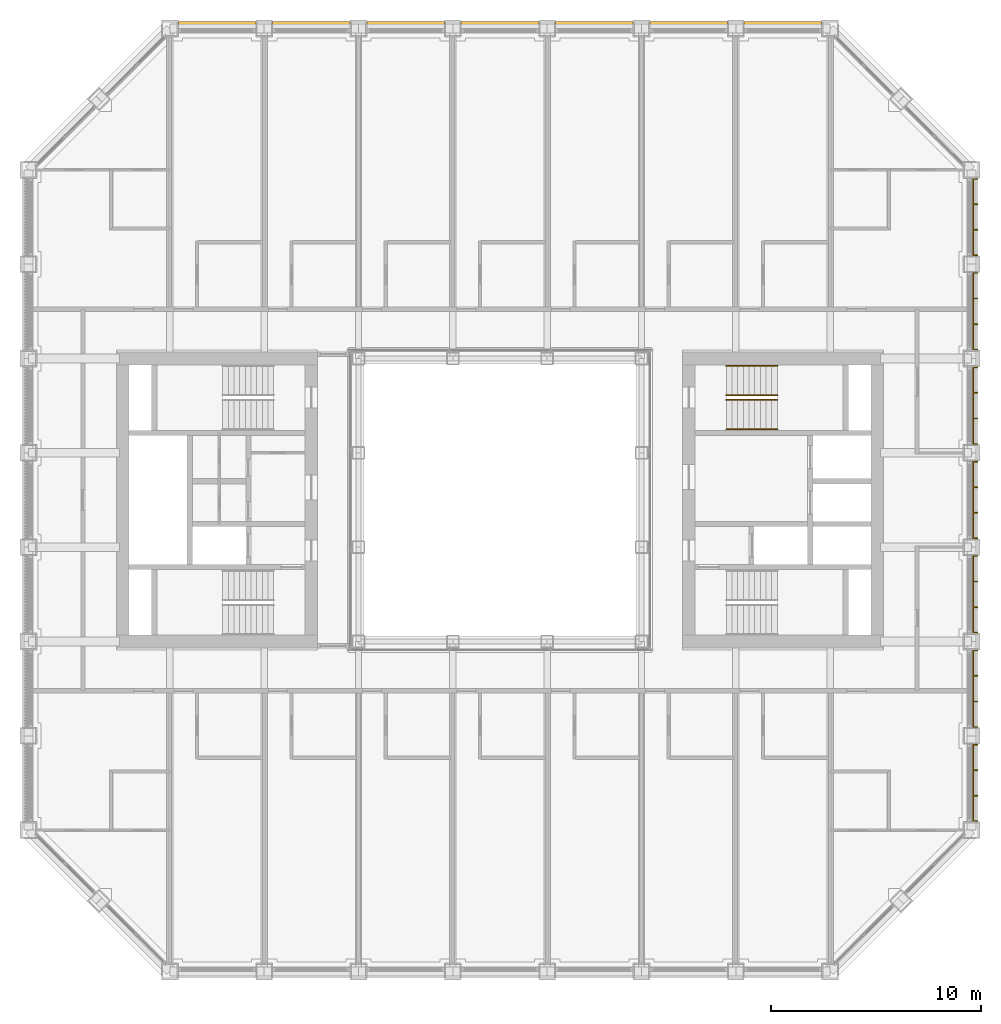
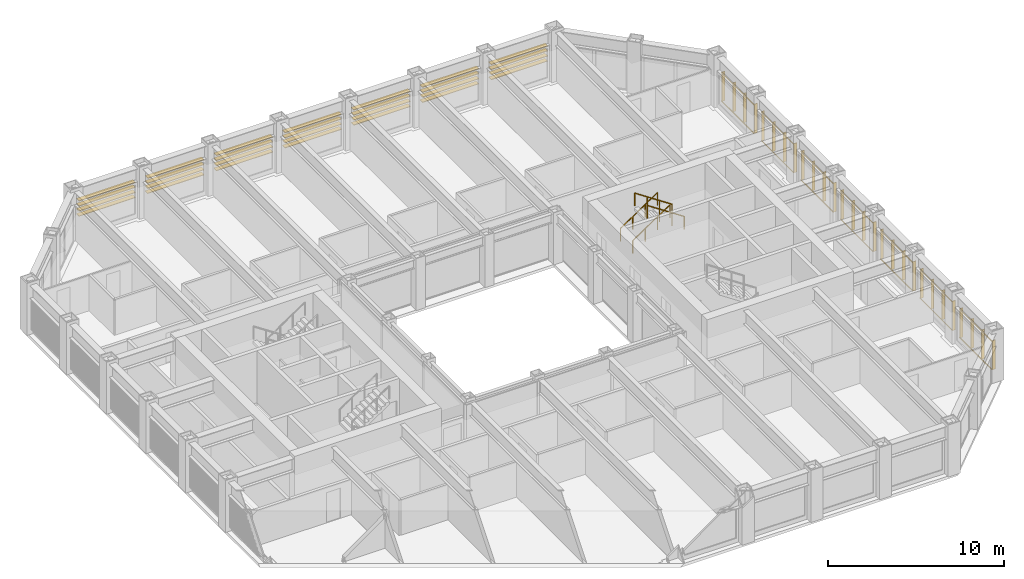
# One storey, part 18 of 18: 4 railings, 2 shading devices.
"""IFC4 building model written with IfcOpenShell, lengths in metres."""

import ifcopenshell
import ifcopenshell.guid

model = None  # the IFC model being written
_history = None  # IfcOwnerHistory: only IFC2X3 demands one
_inside = {}  # id of a spatial element -> (the spatial element, [elements in it])
_under = {}  # id of a project, library or spatial element -> (it, [spatial elements below it])
_declared = {}  # id of a project -> (the project, [libraries it declares])
_typed = {}  # id of a type object -> (the type object, [elements of that type])
_made_of = {}  # id of a material, layer set ... -> (it, [elements and type objects made of it])


def new_model(schema):
    """Start an empty IFC model of exactly this schema.

    Asked for "IFC4X3", IfcOpenShell would pick the latest addendum, in which some entities
    have other attributes; the version numbers below select the first issue.
    IFC2X3 requires an IfcOwnerHistory on every rooted entity: one is made here for all.
    """
    global model, _history
    if schema == "IFC4X3":
        model = ifcopenshell.file(schema_version=(4, 3, 0, 0))
    else:
        model = ifcopenshell.file(schema=schema)
    _inside.clear()
    _under.clear()
    _declared.clear()
    _typed.clear()
    _made_of.clear()
    _history = None
    if model.schema == "IFC2X3":
        org = make("IfcOrganization", Name="unknown")
        user = make(
            "IfcPersonAndOrganization",
            ThePerson=make("IfcPerson", FamilyName="unknown"),
            TheOrganization=org,
        )
        app = make(
            "IfcApplication",
            ApplicationDeveloper=org,
            Version="unknown",
            ApplicationFullName="unknown",
            ApplicationIdentifier="unknown",
        )
        _history = make(
            "IfcOwnerHistory",
            OwningUser=user,
            OwningApplication=app,
            ChangeAction="ADDED",
            CreationDate=0,
        )
    return model


def make(cls, **values):
    """One entity of the class cls with the attributes given. An attribute that is None is left unset."""
    return model.create_entity(
        cls, **{name: value for name, value in values.items() if value is not None}
    )


def rooted(cls, **values):
    """An entity with a GlobalId (a new one), such as an element, a storey or a relation."""
    return make(cls, GlobalId=ifcopenshell.guid.new(), OwnerHistory=_history, **values)


def si_unit(unit_type, name, prefix=None):
    """IfcSIUnit, for example si_unit("LENGTHUNIT", "METRE", prefix="MILLI")."""
    return make("IfcSIUnit", UnitType=unit_type, Prefix=prefix, Name=name)


def assignment(units):
    """IfcUnitAssignment: the units of a project."""
    return None if units is None else make("IfcUnitAssignment", Units=units)


def point(xyz):
    """IfcCartesianPoint."""
    return None if xyz is None else make("IfcCartesianPoint", Coordinates=xyz)


def direction(xyz):
    """IfcDirection."""
    return None if xyz is None else make("IfcDirection", DirectionRatios=xyz)


def frame(location, z_axis=None, x_axis=None):
    """IfcAxis2Placement3D, a coordinate frame: its origin and axes. An axis left out is left unset."""
    return make(
        "IfcAxis2Placement3D",
        Location=point(location),
        Axis=direction(z_axis),
        RefDirection=direction(x_axis),
    )


def frame_2d(location, x_axis=None):
    """IfcAxis2Placement2D, a coordinate frame in the plane: its origin and x axis."""
    return make(
        "IfcAxis2Placement2D", Location=point(location), RefDirection=direction(x_axis)
    )


def origin():
    """The frame at (0, 0, 0) with its axes left unset."""
    return frame((0.0, 0.0, 0.0))


def origin_2d():
    """The frame at (0, 0) in the plane with its x axis left unset."""
    return frame_2d((0.0, 0.0))


def place(relative_to, where):
    """IfcLocalPlacement: puts the frame where relative to a parent placement (None: the world)."""
    return make(
        "IfcLocalPlacement", PlacementRelTo=relative_to, RelativePlacement=where
    )


def context(
    kind, dimensions, precision=None, world=None, true_north=None, identifier=None
):
    """IfcGeometricRepresentationContext, for example the 3D "Model" context."""
    return make(
        "IfcGeometricRepresentationContext",
        ContextIdentifier=identifier,
        ContextType=kind,
        CoordinateSpaceDimension=dimensions,
        Precision=precision,
        WorldCoordinateSystem=world,
        TrueNorth=true_north,
    )


def subcontext(parent, identifier, kind, view, scale=None):
    """IfcGeometricRepresentationSubContext, for example "Body" below "Model"."""
    return make(
        "IfcGeometricRepresentationSubContext",
        ContextIdentifier=identifier,
        ContextType=kind,
        ParentContext=parent,
        TargetScale=scale,
        TargetView=view,
    )


def project(units=None, contexts=None):
    """IfcProject with its units and contexts."""
    return rooted(
        "IfcProject",
        Name="project",
        RepresentationContexts=contexts,
        UnitsInContext=assignment(units),
    )


def spatial(cls, under=None, at=None, **own):
    """A site, building, storey or space (cls), placed at a placement, below another one or the project."""
    s = rooted(cls, ObjectPlacement=at, **own)
    if under is not None:
        _under.setdefault(under.id(), (under, []))[1].append(s)
    return s


def profile(cls, at=None, kind="AREA", **sizes):
    """A parametric profile (cls). Its sizes go by their IFC names, for example OverallWidth=200.0."""
    return make(cls, ProfileType=kind, Position=at, **sizes)


def rectangle(**sizes):
    """IfcRectangleProfileDef."""
    return profile("IfcRectangleProfileDef", **sizes)


def circle(**sizes):
    """IfcCircleProfileDef."""
    return profile("IfcCircleProfileDef", **sizes)


def extrude(swept, where, along, depth):
    """IfcExtrudedAreaSolid: the profile swept, set in the frame where, extruded along a direction by depth."""
    return make(
        "IfcExtrudedAreaSolid",
        SweptArea=swept,
        Position=where,
        ExtrudedDirection=direction(along),
        Depth=depth,
    )


def shape(context_of_items, identifier, shape_type, items):
    """IfcShapeRepresentation: the items that make up one representation, for example the "Body"."""
    return make(
        "IfcShapeRepresentation",
        ContextOfItems=context_of_items,
        RepresentationIdentifier=identifier,
        RepresentationType=shape_type,
        Items=items,
    )


def material(Name=None, Category=None):
    """IfcMaterial."""
    return make("IfcMaterial", Name=Name, Category=Category)


def made_of(thing, what):
    """Note that an element or type object is made of a material, layer set ...; save() writes the relation."""
    if what is not None:
        _made_of.setdefault(what.id(), (what, []))[1].append(thing)
    return thing


def type_object(cls, material=None, **own):
    """A type object (cls), such as IfcWallType, which elements share."""
    return made_of(rooted(cls, **own), material)


def element(
    cls,
    number,
    at=None,
    inside=None,
    cuts=None,
    type_object=None,
    material=None,
    context=None,
    identifier="Body",
    shape_type=None,
    held_by="IfcProductDefinitionShape",
    body=None,
    shapes=None,
    **own,
):
    """One element of the class cls, such as IfcWall. Its Tag is "e" and its number.

    at: its placement. inside: the storey or other place that contains it. cuts: it is an
    opening in that element (IfcRelVoidsElement). A single representation is given by context,
    identifier, shape_type and body (its items); several are given by shapes. held_by: the class
    of the entity that holds the representations. save() writes the other relations.
    """
    e = rooted(cls, Tag="e%d" % number, ObjectPlacement=at, **own)
    if body is not None:
        shapes = [shape(context, identifier, shape_type, body)]
    if shapes is not None:
        e.Representation = make(held_by, Representations=shapes)
    if inside is not None:
        _inside.setdefault(inside.id(), (inside, []))[1].append(e)
    if cuts is not None:
        rooted(
            "IfcRelVoidsElement", RelatingBuildingElement=cuts, RelatedOpeningElement=e
        )
    if type_object is not None:
        _typed.setdefault(type_object.id(), (type_object, []))[1].append(e)
    return made_of(e, material)


def aggregate(whole, parts):
    """IfcRelAggregates: a whole, such as a stair, and the parts it consists of."""
    return rooted("IfcRelAggregates", RelatingObject=whole, RelatedObjects=parts)


def save(model, path):
    """Write the relations noted so far, then the file.

    IfcRelAggregates (storeys below a building ...), IfcRelContainedInSpatialStructure (elements
    in a storey), IfcRelDefinesByType, IfcRelAssociatesMaterial and IfcRelDeclares: one each for
    every whole, place, type object, material and project.
    """
    for whole, parts in _under.values():
        aggregate(whole, parts)
    for where, things in _inside.values():
        rooted(
            "IfcRelContainedInSpatialStructure",
            RelatedElements=things,
            RelatingStructure=where,
        )
    for kind, things in _typed.values():
        rooted("IfcRelDefinesByType", RelatedObjects=things, RelatingType=kind)
    for what, things in _made_of.values():
        rooted("IfcRelAssociatesMaterial", RelatedObjects=things, RelatingMaterial=what)
    for by, libraries in _declared.values():
        rooted("IfcRelDeclares", RelatingContext=by, RelatedDefinitions=libraries)
    model.write(path)


model = new_model("IFC4")

# Units and contexts
model_context = context("Model", 3, precision=1e-05, world=origin(), true_north=direction((0.0, 1.0)))
body_context = subcontext(model_context, "Body", "Model", "MODEL_VIEW")
ifc_project = project(units=[si_unit("LENGTHUNIT", "METRE"), si_unit("AREAUNIT", "SQUARE_METRE"), si_unit("VOLUMEUNIT", "CUBIC_METRE"), si_unit("PLANEANGLEUNIT", "RADIAN"), si_unit("MASSUNIT", "GRAM", prefix="KILO")], contexts=[model_context])

# Site, building, storey
site_placement = place(None, origin())
site = spatial("IfcSite", under=ifc_project, at=site_placement, CompositionType="ELEMENT")
building_placement = place(site_placement, origin())
building = spatial("IfcBuilding", under=site, at=building_placement, Name="Msasa Ring Tower", CompositionType="ELEMENT")
storey_placement = place(building_placement, frame((0.0, 0.0, 122.0)))
storey = spatial("IfcBuildingStorey", under=building, at=storey_placement, Name="L31", CompositionType="ELEMENT", Elevation=122.0)

# Shading device
ifc_material_1 = material(Name="Extruded terracotta on aluminium carriers", Category="masonry")
shading_device_type_1 = type_object("IfcShadingDeviceType", Name="BS2 TERRACOTTA FIN SCREEN 40x200 AT 1350", PredefinedType="USERDEFINED", material=ifc_material_1)
shading_device_1_placement = place(storey_placement, origin())
element("IfcShadingDevice", 1, at=shading_device_1_placement, inside=storey, type_object=shading_device_type_1, Name="Terracotta fin screen E L31", ObjectType="BAGUETTE", PredefinedType="USERDEFINED", context=body_context, shape_type="SweptSolid", body=[
    extrude(rectangle(XDim=0.06005859375, YDim=0.0400390625, at=origin_2d()), frame((22.580078125, -15.35009765625, 0.330078125), z_axis=(0.0, 1.0, 0.0), x_axis=(0.0, 0.0, 1.0)), (0.0, 0.0, 1.0), 3.699951171875),
    extrude(rectangle(XDim=0.06005859375, YDim=0.0400390625, at=origin_2d()), frame((22.580078125, -15.35009765625, 2.299072265625), z_axis=(0.0, 1.0, 0.0), x_axis=(0.0, 0.0, 1.0)), (0.0, 0.0, 1.0), 3.699951171875),
    extrude(rectangle(XDim=0.0400390625, YDim=0.199951171875, at=origin_2d()), frame((22.695068359375, -15.330078125, 0.300048828125), z_axis=(0.0, 0.0, 1.0), x_axis=(0.0, 1.0, 0.0)), (0.0, 0.0, 1.0), 2.029052734375),
    extrude(rectangle(XDim=0.0400390625, YDim=0.199951171875, at=origin_2d()), frame((22.695068359375, -14.110107421875, 0.300048828125), z_axis=(0.0, 0.0, 1.0), x_axis=(0.0, 1.0, 0.0)), (0.0, 0.0, 1.0), 2.029052734375),
    extrude(rectangle(XDim=0.0400390625, YDim=0.199951171875, at=origin_2d()), frame((22.695068359375, -12.889892578125, 0.300048828125), z_axis=(0.0, 0.0, 1.0), x_axis=(0.0, 1.0, 0.0)), (0.0, 0.0, 1.0), 2.029052734375),
    extrude(rectangle(XDim=0.0400390625, YDim=0.199951171875, at=origin_2d()), frame((22.695068359375, -11.669921875, 0.300048828125), z_axis=(0.0, 0.0, 1.0), x_axis=(0.0, 1.0, 0.0)), (0.0, 0.0, 1.0), 2.029052734375),
    extrude(rectangle(XDim=0.06005859375, YDim=0.0400390625, at=origin_2d()), frame((22.580078125, -10.85009765625, 0.330078125), z_axis=(0.0, 1.0, 0.0), x_axis=(0.0, 0.0, 1.0)), (0.0, 0.0, 1.0), 3.699951171875),
    extrude(rectangle(XDim=0.06005859375, YDim=0.0400390625, at=origin_2d()), frame((22.580078125, -10.85009765625, 2.299072265625), z_axis=(0.0, 1.0, 0.0), x_axis=(0.0, 0.0, 1.0)), (0.0, 0.0, 1.0), 3.699951171875),
    extrude(rectangle(XDim=0.0400390625, YDim=0.199951171875, at=origin_2d()), frame((22.695068359375, -10.830078125, 0.300048828125), z_axis=(0.0, 0.0, 1.0), x_axis=(0.0, 1.0, 0.0)), (0.0, 0.0, 1.0), 2.029052734375),
    extrude(rectangle(XDim=0.0400390625, YDim=0.199951171875, at=origin_2d()), frame((22.695068359375, -9.610107421875, 0.300048828125), z_axis=(0.0, 0.0, 1.0), x_axis=(0.0, 1.0, 0.0)), (0.0, 0.0, 1.0), 2.029052734375),
    extrude(rectangle(XDim=0.0400390625, YDim=0.199951171875, at=origin_2d()), frame((22.695068359375, -8.389892578125, 0.300048828125), z_axis=(0.0, 0.0, 1.0), x_axis=(0.0, 1.0, 0.0)), (0.0, 0.0, 1.0), 2.029052734375),
    extrude(rectangle(XDim=0.0400390625, YDim=0.199951171875, at=origin_2d()), frame((22.695068359375, -7.169921875, 0.300048828125), z_axis=(0.0, 0.0, 1.0), x_axis=(0.0, 1.0, 0.0)), (0.0, 0.0, 1.0), 2.029052734375),
    extrude(rectangle(XDim=0.06005859375, YDim=0.0400390625, at=origin_2d()), frame((22.580078125, -6.35009765625, 0.330078125), z_axis=(0.0, 1.0, 0.0), x_axis=(0.0, 0.0, 1.0)), (0.0, 0.0, 1.0), 3.699951171875),
    extrude(rectangle(XDim=0.06005859375, YDim=0.0400390625, at=origin_2d()), frame((22.580078125, -6.35009765625, 2.299072265625), z_axis=(0.0, 1.0, 0.0), x_axis=(0.0, 0.0, 1.0)), (0.0, 0.0, 1.0), 3.699951171875),
    extrude(rectangle(XDim=0.0400390625, YDim=0.199951171875, at=origin_2d()), frame((22.695068359375, -6.330078125, 0.300048828125), z_axis=(0.0, 0.0, 1.0), x_axis=(0.0, 1.0, 0.0)), (0.0, 0.0, 1.0), 2.029052734375),
    extrude(rectangle(XDim=0.0400390625, YDim=0.199951171875, at=origin_2d()), frame((22.695068359375, -5.110107421875, 0.300048828125), z_axis=(0.0, 0.0, 1.0), x_axis=(0.0, 1.0, 0.0)), (0.0, 0.0, 1.0), 2.029052734375),
    extrude(rectangle(XDim=0.0400390625, YDim=0.199951171875, at=origin_2d()), frame((22.695068359375, -3.889892578125, 0.300048828125), z_axis=(0.0, 0.0, 1.0), x_axis=(0.0, 1.0, 0.0)), (0.0, 0.0, 1.0), 2.029052734375),
    extrude(rectangle(XDim=0.0400390625, YDim=0.199951171875, at=origin_2d()), frame((22.695068359375, -2.669921875, 0.300048828125), z_axis=(0.0, 0.0, 1.0), x_axis=(0.0, 1.0, 0.0)), (0.0, 0.0, 1.0), 2.029052734375),
    extrude(rectangle(XDim=0.06005859375, YDim=0.0400390625, at=origin_2d()), frame((22.580078125, -1.85009765625, 0.330078125), z_axis=(0.0, 1.0, 0.0), x_axis=(0.0, 0.0, 1.0)), (0.0, 0.0, 1.0), 3.699951171875),
    extrude(rectangle(XDim=0.06005859375, YDim=0.0400390625, at=origin_2d()), frame((22.580078125, -1.85009765625, 2.299072265625), z_axis=(0.0, 1.0, 0.0), x_axis=(0.0, 0.0, 1.0)), (0.0, 0.0, 1.0), 3.699951171875),
    extrude(rectangle(XDim=0.0400390625, YDim=0.199951171875, at=origin_2d()), frame((22.695068359375, -1.830078125, 0.300048828125), z_axis=(0.0, 0.0, 1.0), x_axis=(0.0, 1.0, 0.0)), (0.0, 0.0, 1.0), 2.029052734375),
    extrude(rectangle(XDim=0.0400390625, YDim=0.199951171875, at=origin_2d()), frame((22.695068359375, -0.610107421875, 0.300048828125), z_axis=(0.0, 0.0, 1.0), x_axis=(0.0, 1.0, 0.0)), (0.0, 0.0, 1.0), 2.029052734375),
    extrude(rectangle(XDim=0.0400390625, YDim=0.199951171875, at=origin_2d()), frame((22.695068359375, 0.610107421875, 0.300048828125), z_axis=(0.0, 0.0, 1.0), x_axis=(0.0, 1.0, 0.0)), (0.0, 0.0, 1.0), 2.029052734375),
    extrude(rectangle(XDim=0.0400390625, YDim=0.199951171875, at=origin_2d()), frame((22.695068359375, 1.830078125, 0.300048828125), z_axis=(0.0, 0.0, 1.0), x_axis=(0.0, 1.0, 0.0)), (0.0, 0.0, 1.0), 2.029052734375),
    extrude(rectangle(XDim=0.06005859375, YDim=0.0400390625, at=origin_2d()), frame((22.580078125, 2.64990234375, 0.330078125), z_axis=(0.0, 1.0, 0.0), x_axis=(0.0, 0.0, 1.0)), (0.0, 0.0, 1.0), 3.699951171875),
    extrude(rectangle(XDim=0.06005859375, YDim=0.0400390625, at=origin_2d()), frame((22.580078125, 2.64990234375, 2.299072265625), z_axis=(0.0, 1.0, 0.0), x_axis=(0.0, 0.0, 1.0)), (0.0, 0.0, 1.0), 3.699951171875),
    extrude(rectangle(XDim=0.0400390625, YDim=0.199951171875, at=origin_2d()), frame((22.695068359375, 2.669921875, 0.300048828125), z_axis=(0.0, 0.0, 1.0), x_axis=(0.0, 1.0, 0.0)), (0.0, 0.0, 1.0), 2.029052734375),
    extrude(rectangle(XDim=0.0400390625, YDim=0.199951171875, at=origin_2d()), frame((22.695068359375, 3.889892578125, 0.300048828125), z_axis=(0.0, 0.0, 1.0), x_axis=(0.0, 1.0, 0.0)), (0.0, 0.0, 1.0), 2.029052734375),
    extrude(rectangle(XDim=0.0400390625, YDim=0.199951171875, at=origin_2d()), frame((22.695068359375, 5.110107421875, 0.300048828125), z_axis=(0.0, 0.0, 1.0), x_axis=(0.0, 1.0, 0.0)), (0.0, 0.0, 1.0), 2.029052734375),
    extrude(rectangle(XDim=0.0400390625, YDim=0.199951171875, at=origin_2d()), frame((22.695068359375, 6.330078125, 0.300048828125), z_axis=(0.0, 0.0, 1.0), x_axis=(0.0, 1.0, 0.0)), (0.0, 0.0, 1.0), 2.029052734375),
    extrude(rectangle(XDim=0.06005859375, YDim=0.0400390625, at=origin_2d()), frame((22.580078125, 7.14990234375, 0.330078125), z_axis=(0.0, 1.0, 0.0), x_axis=(0.0, 0.0, 1.0)), (0.0, 0.0, 1.0), 3.699951171875),
    extrude(rectangle(XDim=0.06005859375, YDim=0.0400390625, at=origin_2d()), frame((22.580078125, 7.14990234375, 2.299072265625), z_axis=(0.0, 1.0, 0.0), x_axis=(0.0, 0.0, 1.0)), (0.0, 0.0, 1.0), 3.699951171875),
    extrude(rectangle(XDim=0.0400390625, YDim=0.199951171875, at=origin_2d()), frame((22.695068359375, 7.169921875, 0.300048828125), z_axis=(0.0, 0.0, 1.0), x_axis=(0.0, 1.0, 0.0)), (0.0, 0.0, 1.0), 2.029052734375),
    extrude(rectangle(XDim=0.0400390625, YDim=0.199951171875, at=origin_2d()), frame((22.695068359375, 8.389892578125, 0.300048828125), z_axis=(0.0, 0.0, 1.0), x_axis=(0.0, 1.0, 0.0)), (0.0, 0.0, 1.0), 2.029052734375),
    extrude(rectangle(XDim=0.0400390625, YDim=0.199951171875, at=origin_2d()), frame((22.695068359375, 9.610107421875, 0.300048828125), z_axis=(0.0, 0.0, 1.0), x_axis=(0.0, 1.0, 0.0)), (0.0, 0.0, 1.0), 2.029052734375),
    extrude(rectangle(XDim=0.0400390625, YDim=0.199951171875, at=origin_2d()), frame((22.695068359375, 10.830078125, 0.300048828125), z_axis=(0.0, 0.0, 1.0), x_axis=(0.0, 1.0, 0.0)), (0.0, 0.0, 1.0), 2.029052734375),
    extrude(rectangle(XDim=0.06005859375, YDim=0.0400390625, at=origin_2d()), frame((22.580078125, 11.64990234375, 0.330078125), z_axis=(0.0, 1.0, 0.0), x_axis=(0.0, 0.0, 1.0)), (0.0, 0.0, 1.0), 3.699951171875),
    extrude(rectangle(XDim=0.06005859375, YDim=0.0400390625, at=origin_2d()), frame((22.580078125, 11.64990234375, 2.299072265625), z_axis=(0.0, 1.0, 0.0), x_axis=(0.0, 0.0, 1.0)), (0.0, 0.0, 1.0), 3.699951171875),
    extrude(rectangle(XDim=0.0400390625, YDim=0.199951171875, at=origin_2d()), frame((22.695068359375, 11.669921875, 0.300048828125), z_axis=(0.0, 0.0, 1.0), x_axis=(0.0, 1.0, 0.0)), (0.0, 0.0, 1.0), 2.029052734375),
    extrude(rectangle(XDim=0.0400390625, YDim=0.199951171875, at=origin_2d()), frame((22.695068359375, 12.889892578125, 0.300048828125), z_axis=(0.0, 0.0, 1.0), x_axis=(0.0, 1.0, 0.0)), (0.0, 0.0, 1.0), 2.029052734375),
    extrude(rectangle(XDim=0.0400390625, YDim=0.199951171875, at=origin_2d()), frame((22.695068359375, 14.110107421875, 0.300048828125), z_axis=(0.0, 0.0, 1.0), x_axis=(0.0, 1.0, 0.0)), (0.0, 0.0, 1.0), 2.029052734375),
    extrude(rectangle(XDim=0.0400390625, YDim=0.199951171875, at=origin_2d()), frame((22.695068359375, 15.330078125, 0.300048828125), z_axis=(0.0, 0.0, 1.0), x_axis=(0.0, 1.0, 0.0)), (0.0, 0.0, 1.0), 2.029052734375),
])

# Railings
ifc_material_2 = material(Name="Stainless steel", Category="steel")
railing_type = type_object("IfcRailingType", Name="HR1 HANDRAIL 900", PredefinedType="HANDRAIL", material=ifc_material_2)
for number, where, name in (
    (2, (10.800048828125, 5.0, 0.179931640625), "Handrail stair SEB L31 1"),
    (3, (10.800048828125, 6.39990234375, 0.179931640625), "Handrail stair SEB L31 2"),
):
    element("IfcRailing", number, at=place(storey_placement, frame(where)), inside=storey, type_object=railing_type, Name=name, PredefinedType="HANDRAIL", context=body_context, shape_type="SweptSolid", body=[
        extrude(circle(Radius=0.02392578125, at=origin_2d()), frame((0.0, 0.0, 0.8759765625), z_axis=(0.832024571796, 0.0, 0.554738778101), x_axis=(0.0, 1.0, 0.0)), (0.0, 0.0, 1.0), 2.92041015625),
        extrude(circle(Radius=0.02099609375, at=origin_2d()), origin(), (0.0, 0.0, 1.0), 0.851806640625),
        extrude(circle(Radius=0.02099609375, at=origin_2d()), frame((0.81005859375, 0.0, 0.5400390625)), (0.0, 0.0, 1.0), 0.851806640625),
        extrude(circle(Radius=0.02099609375, at=origin_2d()), frame((1.619873046875, 0.0, 1.080078125)), (0.0, 0.0, 1.0), 0.851806640625),
        extrude(circle(Radius=0.02099609375, at=origin_2d()), frame((2.429931640625, 0.0, 1.6201171875)), (0.0, 0.0, 1.0), 0.851806640625),
    ])
for number, where, name in (
    (4, (13.22998046875, 3.375, 1.97998046875), "Handrail stair SEB L31 3"),
    (5, (13.22998046875, 4.77490234375, 1.97998046875), "Handrail stair SEB L31 4"),
):
    element("IfcRailing", number, at=place(storey_placement, frame(where)), inside=storey, type_object=railing_type, Name=name, PredefinedType="HANDRAIL", context=body_context, shape_type="SweptSolid", body=[
        extrude(circle(Radius=0.02392578125, at=origin_2d()), frame((0.0, 0.0, 0.8759765625), z_axis=(-0.832024571796, 0.0, 0.554738778101), x_axis=(0.0, -1.0, 0.0)), (0.0, 0.0, 1.0), 2.92041015625),
        extrude(circle(Radius=0.02099609375, at=origin_2d()), origin(), (0.0, 0.0, 1.0), 0.851806640625),
        extrude(circle(Radius=0.02099609375, at=origin_2d()), frame((-0.81005859375, 0.0, 0.5400390625)), (0.0, 0.0, 1.0), 0.851806640625),
        extrude(circle(Radius=0.02099609375, at=origin_2d()), frame((-1.619873046875, 0.0, 1.080078125)), (0.0, 0.0, 1.0), 0.851806640625),
        extrude(circle(Radius=0.02099609375, at=origin_2d()), frame((-2.429931640625, 0.0, 1.6201171875)), (0.0, 0.0, 1.0), 0.851806640625),
    ])

# Shading device
ifc_material_3 = material(Name="Extruded terracotta blades", Category="masonry")
shading_device_type_2 = type_object("IfcShadingDeviceType", Name="SS1 TERRACOTTA SUNSHADE 4 BLADES 300x40 AT 350", PredefinedType="USERDEFINED", material=ifc_material_3)
shading_device_2_placement = place(storey_placement, origin())
element("IfcShadingDevice", 6, at=shading_device_2_placement, inside=storey, type_object=shading_device_type_2, Name="Terracotta sunshade N L31", ObjectType="SUNSHADE", PredefinedType="USERDEFINED", context=body_context, shape_type="SweptSolid", body=[
    extrude(rectangle(XDim=0.0400390625, YDim=0.300048828125, at=origin_2d()), frame((-15.35009765625, 22.679931640625, 2.30908203125), z_axis=(1.0, 0.0, 0.0), x_axis=(0.0, 0.0, 1.0)), (0.0, 0.0, 1.0), 3.699951171875),
    extrude(rectangle(XDim=0.0400390625, YDim=0.300048828125, at=origin_2d()), frame((-15.35009765625, 22.679931640625, 1.958984375), z_axis=(1.0, 0.0, 0.0), x_axis=(0.0, 0.0, 1.0)), (0.0, 0.0, 1.0), 3.699951171875),
    extrude(rectangle(XDim=0.0400390625, YDim=0.300048828125, at=origin_2d()), frame((-15.35009765625, 22.679931640625, 1.60888671875), z_axis=(1.0, 0.0, 0.0), x_axis=(0.0, 0.0, 1.0)), (0.0, 0.0, 1.0), 3.699951171875),
    extrude(rectangle(XDim=0.0400390625, YDim=0.300048828125, at=origin_2d()), frame((-15.35009765625, 22.679931640625, 1.259033203125), z_axis=(1.0, 0.0, 0.0), x_axis=(0.0, 0.0, 1.0)), (0.0, 0.0, 1.0), 3.699951171875),
    extrude(rectangle(XDim=0.0400390625, YDim=0.300048828125, at=origin_2d()), frame((-10.85009765625, 22.679931640625, 2.30908203125), z_axis=(1.0, 0.0, 0.0), x_axis=(0.0, 0.0, 1.0)), (0.0, 0.0, 1.0), 3.699951171875),
    extrude(rectangle(XDim=0.0400390625, YDim=0.300048828125, at=origin_2d()), frame((-10.85009765625, 22.679931640625, 1.958984375), z_axis=(1.0, 0.0, 0.0), x_axis=(0.0, 0.0, 1.0)), (0.0, 0.0, 1.0), 3.699951171875),
    extrude(rectangle(XDim=0.0400390625, YDim=0.300048828125, at=origin_2d()), frame((-10.85009765625, 22.679931640625, 1.60888671875), z_axis=(1.0, 0.0, 0.0), x_axis=(0.0, 0.0, 1.0)), (0.0, 0.0, 1.0), 3.699951171875),
    extrude(rectangle(XDim=0.0400390625, YDim=0.300048828125, at=origin_2d()), frame((-10.85009765625, 22.679931640625, 1.259033203125), z_axis=(1.0, 0.0, 0.0), x_axis=(0.0, 0.0, 1.0)), (0.0, 0.0, 1.0), 3.699951171875),
    extrude(rectangle(XDim=0.0400390625, YDim=0.300048828125, at=origin_2d()), frame((-6.35009765625, 22.679931640625, 2.30908203125), z_axis=(1.0, 0.0, 0.0), x_axis=(0.0, 0.0, 1.0)), (0.0, 0.0, 1.0), 3.699951171875),
    extrude(rectangle(XDim=0.0400390625, YDim=0.300048828125, at=origin_2d()), frame((-6.35009765625, 22.679931640625, 1.958984375), z_axis=(1.0, 0.0, 0.0), x_axis=(0.0, 0.0, 1.0)), (0.0, 0.0, 1.0), 3.699951171875),
    extrude(rectangle(XDim=0.0400390625, YDim=0.300048828125, at=origin_2d()), frame((-6.35009765625, 22.679931640625, 1.60888671875), z_axis=(1.0, 0.0, 0.0), x_axis=(0.0, 0.0, 1.0)), (0.0, 0.0, 1.0), 3.699951171875),
    extrude(rectangle(XDim=0.0400390625, YDim=0.300048828125, at=origin_2d()), frame((-6.35009765625, 22.679931640625, 1.259033203125), z_axis=(1.0, 0.0, 0.0), x_axis=(0.0, 0.0, 1.0)), (0.0, 0.0, 1.0), 3.699951171875),
    extrude(rectangle(XDim=0.0400390625, YDim=0.300048828125, at=origin_2d()), frame((-1.85009765625, 22.679931640625, 2.30908203125), z_axis=(1.0, 0.0, 0.0), x_axis=(0.0, 0.0, 1.0)), (0.0, 0.0, 1.0), 3.699951171875),
    extrude(rectangle(XDim=0.0400390625, YDim=0.300048828125, at=origin_2d()), frame((-1.85009765625, 22.679931640625, 1.958984375), z_axis=(1.0, 0.0, 0.0), x_axis=(0.0, 0.0, 1.0)), (0.0, 0.0, 1.0), 3.699951171875),
    extrude(rectangle(XDim=0.0400390625, YDim=0.300048828125, at=origin_2d()), frame((-1.85009765625, 22.679931640625, 1.60888671875), z_axis=(1.0, 0.0, 0.0), x_axis=(0.0, 0.0, 1.0)), (0.0, 0.0, 1.0), 3.699951171875),
    extrude(rectangle(XDim=0.0400390625, YDim=0.300048828125, at=origin_2d()), frame((-1.85009765625, 22.679931640625, 1.259033203125), z_axis=(1.0, 0.0, 0.0), x_axis=(0.0, 0.0, 1.0)), (0.0, 0.0, 1.0), 3.699951171875),
    extrude(rectangle(XDim=0.0400390625, YDim=0.300048828125, at=origin_2d()), frame((2.64990234375, 22.679931640625, 2.30908203125), z_axis=(1.0, 0.0, 0.0), x_axis=(0.0, 0.0, 1.0)), (0.0, 0.0, 1.0), 3.699951171875),
    extrude(rectangle(XDim=0.0400390625, YDim=0.300048828125, at=origin_2d()), frame((2.64990234375, 22.679931640625, 1.958984375), z_axis=(1.0, 0.0, 0.0), x_axis=(0.0, 0.0, 1.0)), (0.0, 0.0, 1.0), 3.699951171875),
    extrude(rectangle(XDim=0.0400390625, YDim=0.300048828125, at=origin_2d()), frame((2.64990234375, 22.679931640625, 1.60888671875), z_axis=(1.0, 0.0, 0.0), x_axis=(0.0, 0.0, 1.0)), (0.0, 0.0, 1.0), 3.699951171875),
    extrude(rectangle(XDim=0.0400390625, YDim=0.300048828125, at=origin_2d()), frame((2.64990234375, 22.679931640625, 1.259033203125), z_axis=(1.0, 0.0, 0.0), x_axis=(0.0, 0.0, 1.0)), (0.0, 0.0, 1.0), 3.699951171875),
    extrude(rectangle(XDim=0.0400390625, YDim=0.300048828125, at=origin_2d()), frame((7.14990234375, 22.679931640625, 2.30908203125), z_axis=(1.0, 0.0, 0.0), x_axis=(0.0, 0.0, 1.0)), (0.0, 0.0, 1.0), 3.699951171875),
    extrude(rectangle(XDim=0.0400390625, YDim=0.300048828125, at=origin_2d()), frame((7.14990234375, 22.679931640625, 1.958984375), z_axis=(1.0, 0.0, 0.0), x_axis=(0.0, 0.0, 1.0)), (0.0, 0.0, 1.0), 3.699951171875),
    extrude(rectangle(XDim=0.0400390625, YDim=0.300048828125, at=origin_2d()), frame((7.14990234375, 22.679931640625, 1.60888671875), z_axis=(1.0, 0.0, 0.0), x_axis=(0.0, 0.0, 1.0)), (0.0, 0.0, 1.0), 3.699951171875),
    extrude(rectangle(XDim=0.0400390625, YDim=0.300048828125, at=origin_2d()), frame((7.14990234375, 22.679931640625, 1.259033203125), z_axis=(1.0, 0.0, 0.0), x_axis=(0.0, 0.0, 1.0)), (0.0, 0.0, 1.0), 3.699951171875),
    extrude(rectangle(XDim=0.0400390625, YDim=0.300048828125, at=origin_2d()), frame((11.64990234375, 22.679931640625, 2.30908203125), z_axis=(1.0, 0.0, 0.0), x_axis=(0.0, 0.0, 1.0)), (0.0, 0.0, 1.0), 3.699951171875),
    extrude(rectangle(XDim=0.0400390625, YDim=0.300048828125, at=origin_2d()), frame((11.64990234375, 22.679931640625, 1.958984375), z_axis=(1.0, 0.0, 0.0), x_axis=(0.0, 0.0, 1.0)), (0.0, 0.0, 1.0), 3.699951171875),
    extrude(rectangle(XDim=0.0400390625, YDim=0.300048828125, at=origin_2d()), frame((11.64990234375, 22.679931640625, 1.60888671875), z_axis=(1.0, 0.0, 0.0), x_axis=(0.0, 0.0, 1.0)), (0.0, 0.0, 1.0), 3.699951171875),
    extrude(rectangle(XDim=0.0400390625, YDim=0.300048828125, at=origin_2d()), frame((11.64990234375, 22.679931640625, 1.259033203125), z_axis=(1.0, 0.0, 0.0), x_axis=(0.0, 0.0, 1.0)), (0.0, 0.0, 1.0), 3.699951171875),
])

save(model, "model.ifc")
